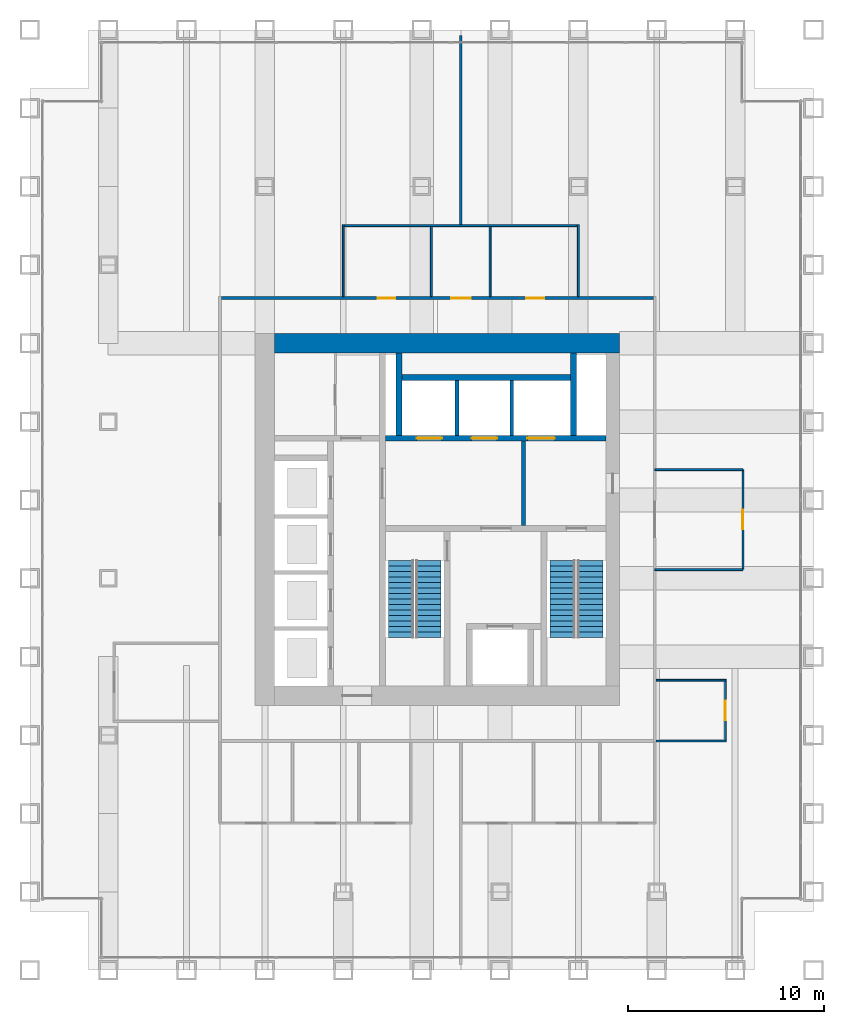
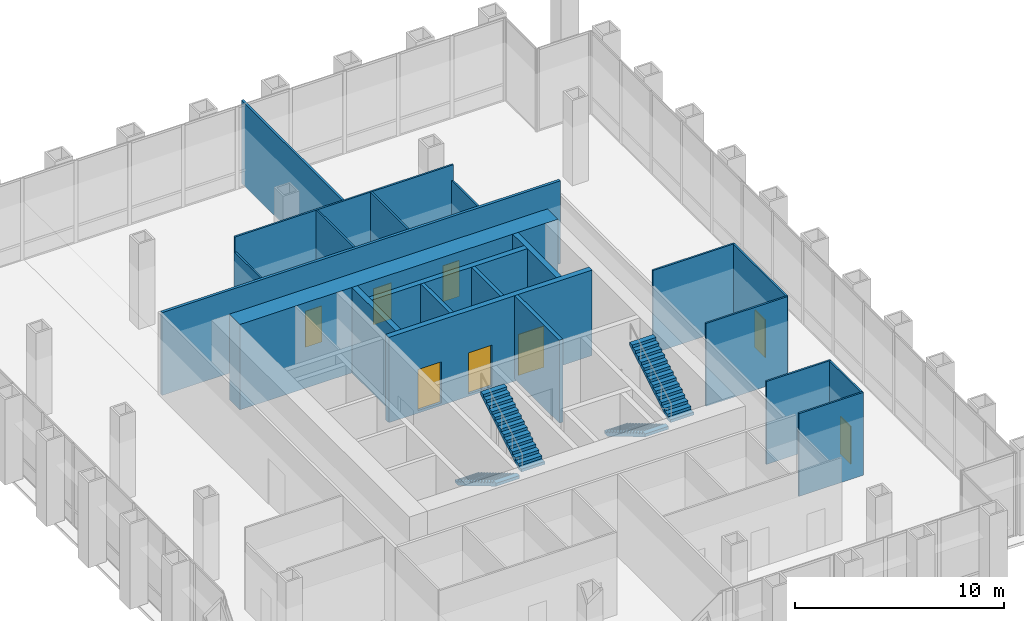
# One storey, part 11 of 13: 21 walls, 8 doors, 4 stair flights, 8 openings, 2 elements without a shape of their own.
"""IFC4 building model written with IfcOpenShell, lengths in metres."""

from ifc_helpers import new_model, si_unit, direction, frame, frame_2d, origin, place, context, subcontext, project, spatial, polyline, rectangle, outline, extrude, material, layer, layer_set, type_object, element, fill, aggregate, save


model = new_model("IFC4")

# Units and contexts
model_context = context("Model", 3, precision=1e-05, world=origin(), true_north=direction((0.0, 1.0)))
body_context = subcontext(model_context, "Body", "Model", "MODEL_VIEW")
ifc_project = project(units=[si_unit("LENGTHUNIT", "METRE"), si_unit("AREAUNIT", "SQUARE_METRE"), si_unit("VOLUMEUNIT", "CUBIC_METRE"), si_unit("PLANEANGLEUNIT", "RADIAN"), si_unit("MASSUNIT", "GRAM", prefix="KILO")], contexts=[model_context])

# Site, building, storey
site_placement = place(None, origin())
site = spatial("IfcSite", under=ifc_project, at=site_placement, CompositionType="ELEMENT")
building_placement = place(site_placement, origin())
building = spatial("IfcBuilding", under=site, at=building_placement, Name="Rimbunsela Tower", CompositionType="ELEMENT")
storey_placement = place(building_placement, frame((0.0, 0.0, 142.800048828125)))
storey = spatial("IfcBuildingStorey", under=building, at=storey_placement, Name="L34", CompositionType="ELEMENT", Elevation=142.800048828125)

# Wall, openings, doors
ifc_material_1 = material(Name="Concrete fc' 80 MPa", Category="concrete")
ifc_layer_1 = layer(ifc_material_1, 0.300048828125)
ifc_layer_set_1 = layer_set([ifc_layer_1], Name="Core internal wall 300")
wall_type_1 = type_object("IfcWallType", Name="Core internal wall 300", PredefinedType="SHEAR", material=ifc_layer_set_1)
wall_1_placement = place(storey_placement, frame((24.14990234375, 31.14990234375, -0.150146484375), z_axis=(0.0, 0.0, 1.0), x_axis=(1.0, 0.0, 0.0)))
wall_1 = element("IfcWall", 1, at=wall_1_placement, inside=storey, type_object=wall_type_1, Name="Lift shaft front north", PredefinedType="SHEAR", context=body_context, shape_type="SweptSolid", body=[
    extrude(rectangle(XDim=11.25, YDim=0.300048828125, at=frame_2d((5.625, 0.0))), origin(), (0.0, 0.0, 1.0), 5.0),
])
opening_1_placement = place(wall_1_placement, frame((1.60009765625, 0.0, 0.14990234375)))
opening_1 = element("IfcOpeningElement", 2, at=opening_1_placement, cuts=wall_1, Name="Opening LD2", PredefinedType="OPENING", context=body_context, shape_type="SweptSolid", body=[
    extrude(rectangle(XDim=1.300048828125, YDim=2.39990234375, at=frame_2d((0.64990234375, 1.199951171875))), frame((0.0, 0.159912109375, 0.0), z_axis=(0.0, -1.0, 0.0), x_axis=(1.0, 0.0, 0.0)), (0.0, 0.0, 1.0), 0.320068359375),
])
opening_2_placement = place(wall_1_placement, frame((4.39990234375, 0.0, 0.14990234375)))
opening_2 = element("IfcOpeningElement", 3, at=opening_2_placement, cuts=wall_1, Name="Opening LD2", PredefinedType="OPENING", context=body_context, shape_type="SweptSolid", body=[
    extrude(rectangle(XDim=1.300048828125, YDim=2.39990234375, at=frame_2d((0.64990234375, 1.199951171875))), frame((0.0, 0.159912109375, 0.0), z_axis=(0.0, -1.0, 0.0), x_axis=(1.0, 0.0, 0.0)), (0.0, 0.0, 1.0), 0.320068359375),
])
opening_3_placement = place(wall_1_placement, frame((7.25, 0.0, 0.14990234375)))
opening_3 = element("IfcOpeningElement", 4, at=opening_3_placement, cuts=wall_1, Name="Opening LD3", PredefinedType="OPENING", context=body_context, shape_type="SweptSolid", body=[
    extrude(rectangle(XDim=1.39990234375, YDim=2.39990234375, at=frame_2d((0.699951171875, 1.199951171875))), frame((0.0, 0.159912109375, 0.0), z_axis=(0.0, -1.0, 0.0), x_axis=(1.0, 0.0, 0.0)), (0.0, 0.0, 1.0), 0.320068359375),
])
ifc_material_2 = material(Name="Steel door, fire rated", Category="steel")
door_type_1 = type_object("IfcDoorType", Name="Lift landing door 1300", OperationType="DOUBLE_DOOR_SLIDING", PredefinedType="DOOR", material=ifc_material_2)
door_1_placement = place(opening_1_placement, origin())
door_1 = element("IfcDoor", 5, at=door_1_placement, inside=storey, type_object=door_type_1, Name="Lift landing door SH1", OperationType="DOUBLE_DOOR_SLIDING", OverallHeight=2.39990234375, OverallWidth=1.300048828125, PredefinedType="DOOR", context=body_context, shape_type="SweptSolid", body=[
    extrude(rectangle(XDim=1.300048828125, YDim=2.39990234375, at=frame_2d((0.64990234375, 1.199951171875))), frame((0.0, 0.02490234375, 0.0), z_axis=(0.0, -1.0, 0.0), x_axis=(1.0, 0.0, 0.0)), (0.0, 0.0, 1.0), 0.050048828125),
])
fill(opening_1, door_1)
door_2_placement = place(opening_2_placement, origin())
door_2 = element("IfcDoor", 6, at=door_2_placement, inside=storey, type_object=door_type_1, Name="Lift landing door SH2", OperationType="DOUBLE_DOOR_SLIDING", OverallHeight=2.39990234375, OverallWidth=1.300048828125, PredefinedType="DOOR", context=body_context, shape_type="SweptSolid", body=[
    extrude(rectangle(XDim=1.300048828125, YDim=2.39990234375, at=frame_2d((0.64990234375, 1.199951171875))), frame((0.0, 0.02490234375, 0.0), z_axis=(0.0, -1.0, 0.0), x_axis=(1.0, 0.0, 0.0)), (0.0, 0.0, 1.0), 0.050048828125),
])
fill(opening_2, door_2)
ifc_material_3 = material(Name="Steel door, fire rated", Category="steel")
door_type_2 = type_object("IfcDoorType", Name="Lift landing door 1400", OperationType="DOUBLE_DOOR_SLIDING", PredefinedType="DOOR", material=ifc_material_3)
door_3_placement = place(opening_3_placement, origin())
door_3 = element("IfcDoor", 7, at=door_3_placement, inside=storey, type_object=door_type_2, Name="Lift landing door FL2", OperationType="DOUBLE_DOOR_SLIDING", OverallHeight=2.39990234375, OverallWidth=1.39990234375, PredefinedType="DOOR", context=body_context, shape_type="SweptSolid", body=[
    extrude(rectangle(XDim=1.39990234375, YDim=2.39990234375, at=frame_2d((0.699951171875, 1.199951171875))), frame((0.0, 0.02490234375, 0.0), z_axis=(0.0, -1.0, 0.0), x_axis=(1.0, 0.0, 0.0)), (0.0, 0.0, 1.0), 0.050048828125),
])
fill(opening_3, door_3)

# Walls
for number, where, z_axis, x_axis, name in (
    (8, (24.85009765625, 31.300048828125, -0.150146484375), (0.0, 0.0, 1.0), (0.0, 1.0, 0.0), "Riser wall"),
    (9, (33.75, 31.300048828125, -0.150146484375), (0.0, 0.0, 1.0), (0.0, 1.0, 0.0), "Riser wall"),
):
    element("IfcWall", number, at=place(storey_placement, frame(where, z_axis=z_axis, x_axis=x_axis)), inside=storey, type_object=wall_type_1, Name=name, PredefinedType="SHEAR", context=body_context, shape_type="SweptSolid", body=[
        extrude(rectangle(XDim=4.199951171875, YDim=0.300048828125, at=frame_2d((2.10009765625, 0.0))), origin(), (0.0, 0.0, 1.0), 5.0),
    ])
wall_2_placement = place(storey_placement, frame((25.0, 34.25, -0.150146484375), z_axis=(0.0, 0.0, 1.0), x_axis=(1.0, 0.0, 0.0)))
element("IfcWall", 10, at=wall_2_placement, inside=storey, type_object=wall_type_1, Name="Lift shaft rear north", PredefinedType="SHEAR", context=body_context, shape_type="SweptSolid", body=[
    extrude(rectangle(XDim=8.60009765625, YDim=0.300048828125, at=frame_2d((4.300048828125, 0.0))), origin(), (0.0, 0.0, 1.0), 5.0),
])
ifc_material_4 = material(Name="Concrete fc' 80 MPa", Category="concrete")
ifc_layer_2 = layer(ifc_material_4, 1.0)
ifc_layer_set_2 = layer_set([ifc_layer_2], Name="Core wall 1000")
wall_type_2 = type_object("IfcWallType", Name="Core wall 1000", PredefinedType="SHEAR", material=ifc_layer_set_2)
wall_3_placement = place(storey_placement, frame((18.5, 36.0, -0.150146484375), z_axis=(0.0, 0.0, 1.0), x_axis=(1.0, 0.0, 0.0)))
element("IfcWall", 11, at=wall_3_placement, inside=storey, type_object=wall_type_2, Name="Core wall north", PredefinedType="SHEAR", context=body_context, shape_type="SweptSolid", body=[
    extrude(rectangle(XDim=17.60009765625, YDim=1.0, at=frame_2d((8.800048828125, 0.0))), origin(), (0.0, 0.0, 1.0), 5.0),
])
ifc_material_5 = material(Name="Concrete blockwork", Category="masonry")
ifc_layer_3 = layer(ifc_material_5, 0.199951171875)
ifc_layer_set_3 = layer_set([ifc_layer_3], Name="Lift shaft wall 200")
wall_type_3 = type_object("IfcWallType", Name="Lift shaft wall 200", PredefinedType="SOLIDWALL", material=ifc_layer_set_3)
for number, where, z_axis, x_axis, name in (
    (12, (27.800048828125, 31.300048828125, -0.150146484375), (0.0, 0.0, 1.0), (0.0, 1.0, 0.0), "Lift shaft separation"),
    (13, (30.60009765625, 31.300048828125, -0.150146484375), (0.0, 0.0, 1.0), (0.0, 1.0, 0.0), "Lift shaft separation"),
):
    element("IfcWall", number, at=place(storey_placement, frame(where, z_axis=z_axis, x_axis=x_axis)), inside=storey, type_object=wall_type_3, Name=name, PredefinedType="SOLIDWALL", context=body_context, shape_type="SweptSolid", body=[
        extrude(rectangle(XDim=2.800048828125, YDim=0.199951171875, at=frame_2d((1.39990234375, 0.0))), origin(), (0.0, 0.0, 1.0), 5.0),
    ])
wall_4_placement = place(storey_placement, frame((31.199951171875, 26.699951171875, 0.0), z_axis=(0.0, 0.0, 1.0), x_axis=(0.0, 1.0, 0.0)))
element("IfcWall", 14, at=wall_4_placement, inside=storey, type_object=wall_type_3, Name="Firefighting lobby 2 wall", PredefinedType="SOLIDWALL", context=body_context, shape_type="SweptSolid", body=[
    extrude(rectangle(XDim=4.300048828125, YDim=0.199951171875, at=frame_2d((2.14990234375, 0.0))), origin(), (0.0, 0.0, 1.0), 4.849853515625),
])
ifc_material_6 = material(Name="Gypsum board on steel studs", Category="steel")
ifc_layer_4 = layer(ifc_material_6, 0.10009765625)
ifc_layer_set_4 = layer_set([ifc_layer_4], Name="Office partition 100")
wall_type_4 = type_object("IfcWallType", Name="Office partition 100", PredefinedType="PARTITIONING", material=ifc_layer_set_4)
for number, where, z_axis, x_axis, name in (
    (15, (37.97509765625, 15.699951171875, 0.0), (0.0, 0.0, 1.0), (1.0, 0.0, 0.0), "Office partition"),
    (16, (37.97509765625, 18.800048828125, 0.0), (0.0, 0.0, 1.0), (1.0, 0.0, 0.0), "Office partition"),
):
    element("IfcWall", number, at=place(storey_placement, frame(where, z_axis=z_axis, x_axis=x_axis)), inside=storey, type_object=wall_type_4, Name=name, PredefinedType="PARTITIONING", context=body_context, shape_type="SweptSolid", body=[
        extrude(rectangle(XDim=3.574951171875, YDim=0.10009765625, at=frame_2d((1.78759765625, 0.0))), origin(), (0.0, 0.0, 1.0), 4.849853515625),
    ])

# Wall, opening, door
wall_5_placement = place(storey_placement, frame((41.5, 15.75, 0.0), z_axis=(0.0, 0.0, 1.0), x_axis=(0.0, 1.0, 0.0)))
wall_5 = element("IfcWall", 17, at=wall_5_placement, inside=storey, type_object=wall_type_4, Name="Office partition", PredefinedType="PARTITIONING", context=body_context, shape_type="SweptSolid", body=[
    extrude(rectangle(XDim=3.0, YDim=0.10009765625, at=frame_2d((1.5, 0.0))), origin(), (0.0, 0.0, 1.0), 4.849853515625),
])
opening_4_placement = place(wall_5_placement, frame((1.0, 0.0, 0.0)))
opening_4 = element("IfcOpeningElement", 18, at=opening_4_placement, cuts=wall_5, Name="Opening D16", PredefinedType="OPENING", context=body_context, shape_type="SweptSolid", body=[
    extrude(rectangle(XDim=1.0, YDim=2.199951171875, at=frame_2d((0.5, 1.10009765625))), frame((0.0, 0.06005859375, 0.0), z_axis=(0.0, -1.0, 0.0), x_axis=(1.0, 0.0, 0.0)), (0.0, 0.0, 1.0), 0.1201171875),
])
ifc_material_7 = material(Name="Timber door", Category="wood")
door_type_3 = type_object("IfcDoorType", Name="Office door 1000", OperationType="SINGLE_SWING_LEFT", PredefinedType="DOOR", material=ifc_material_7)
door_4_placement = place(opening_4_placement, origin())
door_4 = element("IfcDoor", 19, at=door_4_placement, inside=storey, type_object=door_type_3, Name="Office door", OperationType="SINGLE_SWING_LEFT", OverallHeight=2.199951171875, OverallWidth=1.0, PredefinedType="DOOR", context=body_context, shape_type="SweptSolid", body=[
    extrude(rectangle(XDim=1.0, YDim=2.199951171875, at=frame_2d((0.5, 1.10009765625))), frame((0.0, 0.02490234375, 0.0), z_axis=(0.0, -1.0, 0.0), x_axis=(1.0, 0.0, 0.0)), (0.0, 0.0, 1.0), 0.050048828125),
])
fill(opening_4, door_4)

# Wall
wall_6_placement = place(storey_placement, frame((37.89990234375, 24.449951171875, 0.0), z_axis=(0.0, 0.0, 1.0), x_axis=(1.0, 0.0, 0.0)))
element("IfcWall", 20, at=wall_6_placement, inside=storey, type_object=wall_type_4, Name="Office partition", PredefinedType="PARTITIONING", context=body_context, shape_type="SweptSolid", body=[
    extrude(rectangle(XDim=4.5, YDim=0.10009765625, at=frame_2d((2.25, 0.0))), origin(), (0.0, 0.0, 1.0), 4.849853515625),
])

# Wall, opening, door
wall_7_placement = place(storey_placement, frame((42.39990234375, 24.449951171875, 0.0), z_axis=(0.0, 0.0, 1.0), x_axis=(0.0, 1.0, 0.0)))
wall_7 = element("IfcWall", 21, at=wall_7_placement, inside=storey, type_object=wall_type_4, Name="Office partition", PredefinedType="PARTITIONING", context=body_context, shape_type="SweptSolid", body=[
    extrude(rectangle(XDim=5.10009765625, YDim=0.10009765625, at=frame_2d((2.550048828125, 0.0))), origin(), (0.0, 0.0, 1.0), 4.849853515625),
])
opening_5_placement = place(wall_7_placement, frame((2.050048828125, 0.0, 0.0)))
opening_5 = element("IfcOpeningElement", 22, at=opening_5_placement, cuts=wall_7, Name="Opening D17", PredefinedType="OPENING", context=body_context, shape_type="SweptSolid", body=[
    extrude(rectangle(XDim=1.0, YDim=2.199951171875, at=frame_2d((0.5, 1.10009765625))), frame((0.0, 0.06005859375, 0.0), z_axis=(0.0, -1.0, 0.0), x_axis=(1.0, 0.0, 0.0)), (0.0, 0.0, 1.0), 0.1201171875),
])
ifc_material_8 = material(Name="Glazed aluminium door", Category="aluminium")
door_type_4 = type_object("IfcDoorType", Name="Meeting room door 1000 glazed", OperationType="SINGLE_SWING_RIGHT", PredefinedType="DOOR", material=ifc_material_8)
door_5_placement = place(opening_5_placement, origin())
door_5 = element("IfcDoor", 23, at=door_5_placement, inside=storey, type_object=door_type_4, Name="Reception door", OperationType="SINGLE_SWING_RIGHT", OverallHeight=2.199951171875, OverallWidth=1.0, PredefinedType="DOOR", context=body_context, shape_type="SweptSolid", body=[
    extrude(rectangle(XDim=1.0, YDim=2.199951171875, at=frame_2d((0.5, 1.10009765625))), frame((0.0, 0.02490234375, 0.0), z_axis=(0.0, -1.0, 0.0), x_axis=(1.0, 0.0, 0.0)), (0.0, 0.0, 1.0), 0.050048828125),
])
fill(opening_5, door_5)

# Wall
wall_8_placement = place(storey_placement, frame((42.39990234375, 29.550048828125, 0.0), z_axis=(0.0, 0.0, 1.0), x_axis=(-1.0, 0.0, 0.0)))
element("IfcWall", 24, at=wall_8_placement, inside=storey, type_object=wall_type_4, Name="Office partition", PredefinedType="PARTITIONING", context=body_context, shape_type="SweptSolid", body=[
    extrude(rectangle(XDim=4.5, YDim=0.10009765625, at=frame_2d((2.25, 0.0))), origin(), (0.0, 0.0, 1.0), 4.849853515625),
])

# Wall, openings, doors
ifc_material_9 = material(Name="Fire-rated gypsum board on steel studs, EI 60", Category="steel")
ifc_layer_5 = layer(ifc_material_9, 0.14990234375)
ifc_layer_set_5 = layer_set([ifc_layer_5], Name="Rated corridor wall 150")
wall_type_5 = type_object("IfcWallType", Name="Rated corridor wall 150", PredefinedType="PARTITIONING", material=ifc_layer_set_5)
wall_9_placement = place(storey_placement, frame((15.77490234375, 38.300048828125, 0.0), z_axis=(0.0, 0.0, 1.0), x_axis=(1.0, 0.0, 0.0)))
wall_9 = element("IfcWall", 25, at=wall_9_placement, inside=storey, type_object=wall_type_5, Name="Corridor wall north", PredefinedType="PARTITIONING", context=body_context, shape_type="SweptSolid", body=[
    extrude(rectangle(XDim=22.050048828125, YDim=0.14990234375, at=frame_2d((11.02490234375, 0.0))), origin(), (0.0, 0.0, 1.0), 4.849853515625),
])
opening_6_placement = place(wall_9_placement, frame((7.97509765625, 0.0, 0.0)))
opening_6 = element("IfcOpeningElement", 26, at=opening_6_placement, cuts=wall_9, Name="Opening D04", PredefinedType="OPENING", context=body_context, shape_type="SweptSolid", body=[
    extrude(rectangle(XDim=0.89990234375, YDim=2.10009765625, at=frame_2d((0.449951171875, 1.050048828125))), frame((0.0, 0.0849609375, 0.0), z_axis=(0.0, -1.0, 0.0), x_axis=(1.0, 0.0, 0.0)), (0.0, 0.0, 1.0), 0.169921875),
])
opening_7_placement = place(wall_9_placement, frame((11.72509765625, 0.0, 0.0)))
opening_7 = element("IfcOpeningElement", 27, at=opening_7_placement, cuts=wall_9, Name="Opening D05", PredefinedType="OPENING", context=body_context, shape_type="SweptSolid", body=[
    extrude(rectangle(XDim=1.0, YDim=2.10009765625, at=frame_2d((0.5, 1.050048828125))), frame((0.0, 0.0849609375, 0.0), z_axis=(0.0, -1.0, 0.0), x_axis=(1.0, 0.0, 0.0)), (0.0, 0.0, 1.0), 0.169921875),
])
opening_8_placement = place(wall_9_placement, frame((15.574951171875, 0.0, 0.0)))
opening_8 = element("IfcOpeningElement", 28, at=opening_8_placement, cuts=wall_9, Name="Opening D04", PredefinedType="OPENING", context=body_context, shape_type="SweptSolid", body=[
    extrude(rectangle(XDim=0.89990234375, YDim=2.10009765625, at=frame_2d((0.449951171875, 1.050048828125))), frame((0.0, 0.0849609375, 0.0), z_axis=(0.0, -1.0, 0.0), x_axis=(1.0, 0.0, 0.0)), (0.0, 0.0, 1.0), 0.169921875),
])
ifc_material_10 = material(Name="Timber door", Category="wood")
door_type_5 = type_object("IfcDoorType", Name="Accessible WC door 1000", OperationType="SLIDING_TO_LEFT", PredefinedType="DOOR", material=ifc_material_10)
door_6_placement = place(opening_7_placement, origin())
door_6 = element("IfcDoor", 29, at=door_6_placement, inside=storey, type_object=door_type_5, Name="Accessible WC door", OperationType="SLIDING_TO_LEFT", OverallHeight=2.10009765625, OverallWidth=1.0, PredefinedType="DOOR", context=body_context, shape_type="SweptSolid", body=[
    extrude(rectangle(XDim=1.0, YDim=2.10009765625, at=frame_2d((0.5, 1.050048828125))), frame((0.0, 0.02490234375, 0.0), z_axis=(0.0, -1.0, 0.0), x_axis=(1.0, 0.0, 0.0)), (0.0, 0.0, 1.0), 0.050048828125),
])
fill(opening_7, door_6)
ifc_material_11 = material(Name="Timber door", Category="wood")
door_type_6 = type_object("IfcDoorType", Name="Toilet door 900", OperationType="SINGLE_SWING_LEFT", PredefinedType="DOOR", material=ifc_material_11)
door_7_placement = place(opening_6_placement, origin())
door_7 = element("IfcDoor", 30, at=door_7_placement, inside=storey, type_object=door_type_6, Name="Female WC door", OperationType="SINGLE_SWING_LEFT", OverallHeight=2.10009765625, OverallWidth=0.89990234375, PredefinedType="DOOR", context=body_context, shape_type="SweptSolid", body=[
    extrude(rectangle(XDim=0.89990234375, YDim=2.10009765625, at=frame_2d((0.449951171875, 1.050048828125))), frame((0.0, 0.02490234375, 0.0), z_axis=(0.0, -1.0, 0.0), x_axis=(1.0, 0.0, 0.0)), (0.0, 0.0, 1.0), 0.050048828125),
])
fill(opening_6, door_7)
door_8_placement = place(opening_8_placement, origin())
door_8 = element("IfcDoor", 31, at=door_8_placement, inside=storey, type_object=door_type_6, Name="Male WC door", OperationType="SINGLE_SWING_LEFT", OverallHeight=2.10009765625, OverallWidth=0.89990234375, PredefinedType="DOOR", context=body_context, shape_type="SweptSolid", body=[
    extrude(rectangle(XDim=0.89990234375, YDim=2.10009765625, at=frame_2d((0.449951171875, 1.050048828125))), frame((0.0, 0.02490234375, 0.0), z_axis=(0.0, -1.0, 0.0), x_axis=(1.0, 0.0, 0.0)), (0.0, 0.0, 1.0), 0.050048828125),
])
fill(opening_8, door_8)

# Walls
ifc_material_12 = material(Name="Gypsum board on steel studs", Category="steel")
ifc_layer_6 = layer(ifc_material_12, 0.1201171875)
ifc_layer_set_6 = layer_set([ifc_layer_6], Name="Tenancy partition 120")
wall_type_6 = type_object("IfcWallType", Name="Tenancy partition 120", PredefinedType="PARTITIONING", material=ifc_layer_set_6)
wall_10_placement = place(storey_placement, frame((28.0, 42.050048828125, 0.0), z_axis=(0.0, 0.0, 1.0), x_axis=(0.0, 1.0, 0.0)))
element("IfcWall", 32, at=wall_10_placement, inside=storey, type_object=wall_type_6, Name="Tenancy partition north", PredefinedType="PARTITIONING", context=body_context, shape_type="SweptSolid", body=[
    extrude(rectangle(XDim=9.64990234375, YDim=0.1201171875, at=frame_2d((4.824951171875, 0.0))), origin(), (0.0, 0.0, 1.0), 4.849853515625),
])
ifc_material_13 = material(Name="Concrete blockwork", Category="masonry")
ifc_layer_7 = layer(ifc_material_13, 0.10009765625)
ifc_layer_set_7 = layer_set([ifc_layer_7], Name="Toilet partition 100")
wall_type_7 = type_object("IfcWallType", Name="Toilet partition 100", PredefinedType="PARTITIONING", material=ifc_layer_set_7)
for number, where, z_axis, x_axis, name in (
    (33, (22.0, 38.375, 0.0), (0.0, 0.0, 1.0), (0.0, 1.0, 0.0), "Toilet block wall west"),
    (34, (34.0, 38.375, 0.0), (0.0, 0.0, 1.0), (0.0, 1.0, 0.0), "Toilet block wall east"),
):
    element("IfcWall", number, at=place(storey_placement, frame(where, z_axis=z_axis, x_axis=x_axis)), inside=storey, type_object=wall_type_7, Name=name, PredefinedType="PARTITIONING", context=body_context, shape_type="SweptSolid", body=[
        extrude(rectangle(XDim=3.675048828125, YDim=0.10009765625, at=frame_2d((1.83740234375, 0.0))), origin(), (0.0, 0.0, 1.0), 3.949951171875),
    ])
wall_11_placement = place(storey_placement, frame((21.949951171875, 42.0, 0.0), z_axis=(0.0, 0.0, 1.0), x_axis=(1.0, 0.0, 0.0)))
element("IfcWall", 35, at=wall_11_placement, inside=storey, type_object=wall_type_7, Name="Toilet block wall north", PredefinedType="PARTITIONING", context=body_context, shape_type="SweptSolid", body=[
    extrude(rectangle(XDim=12.10009765625, YDim=0.10009765625, at=frame_2d((6.050048828125, 0.0))), origin(), (0.0, 0.0, 1.0), 4.849853515625),
])
for number, where, z_axis, x_axis, name in (
    (36, (26.5, 38.375, 0.0), (0.0, 0.0, 1.0), (0.0, 1.0, 0.0), "Toilet partition"),
    (37, (29.5, 38.375, 0.0), (0.0, 0.0, 1.0), (0.0, 1.0, 0.0), "Toilet partition"),
):
    element("IfcWall", number, at=place(storey_placement, frame(where, z_axis=z_axis, x_axis=x_axis)), inside=storey, type_object=wall_type_7, Name=name, PredefinedType="PARTITIONING", context=body_context, shape_type="SweptSolid", body=[
        extrude(rectangle(XDim=3.574951171875, YDim=0.10009765625, at=frame_2d((1.78759765625, 0.0))), origin(), (0.0, 0.0, 1.0), 4.849853515625),
    ])

# Stair, stair flights
ifc_material_14 = material(Name="Concrete fc' 35 MPa", Category="concrete")
stair_type = type_object("IfcStairType", Name="Exit stair 30 risers", PredefinedType="HALF_TURN_STAIR", material=ifc_material_14)
stair_1_placement = place(storey_placement, origin())
stair_1 = element("IfcStair", 38, at=stair_1_placement, inside=storey, type_object=stair_type, Name="Exit stair A L34", PredefinedType="HALF_TURN_STAIR")
ifc_material_15 = material(Name="Concrete fc' 35 MPa", Category="concrete")
stair_flight_type = type_object("IfcStairFlightType", Name="Stair flight 15 risers 167", PredefinedType="STRAIGHT", material=ifc_material_15)
stair_flight_1_placement = place(storey_placement, frame((24.949951171875, 24.89990234375, 0.0), z_axis=(0.0, 0.0, 1.0), x_axis=(0.0, -1.0, 0.0)))
stair_flight_1 = element("IfcStairFlight", 39, at=stair_flight_1_placement, type_object=stair_flight_type, Name="ST-A flight 1", NumberOfRisers=15, NumberOfTreads=14, PredefinedType="STRAIGHT", RiserHeight=0.166666667, TreadLength=0.28, context=body_context, shape_type="SweptSolid", body=[
    extrude(outline(polyline([(0.0, 0.0), (0.0, 0.166748046875), (0.280029296875, 0.166748046875), (0.280029296875, 0.333251953125), (0.56005859375, 0.333251953125), (0.56005859375, 0.5), (0.840087890625, 0.5), (0.840087890625, 0.666748046875), (1.1201171875, 0.666748046875), (1.1201171875, 0.833251953125), (1.39990234375, 0.833251953125), (1.39990234375, 1.0), (1.679931640625, 1.0), (1.679931640625, 1.166748046875), (1.9599609375, 1.166748046875), (1.9599609375, 1.333251953125), (2.239990234375, 1.333251953125), (2.239990234375, 1.5), (2.52001953125, 1.5), (2.52001953125, 1.666748046875), (2.800048828125, 1.666748046875), (2.800048828125, 1.833251953125), (3.080078125, 1.833251953125), (3.080078125, 2.0), (3.360107421875, 2.0), (3.360107421875, 2.166748046875), (3.639892578125, 2.166748046875), (3.639892578125, 2.333251953125), (3.919921875, 2.333251953125), (3.919921875, 2.5), (3.919921875, 2.158935546875), (0.29296875, 0.0), (0.0, 0.0)])), frame((0.0, 0.64990234375, 0.0), z_axis=(0.0, -1.0, 0.0), x_axis=(1.0, 0.0, 0.0)), (0.0, 0.0, 1.0), 1.300048828125),
])
stair_flight_2_placement = place(storey_placement, frame((26.35009765625, 20.97998046875, 2.5), z_axis=(0.0, 0.0, 1.0), x_axis=(0.0, 1.0, 0.0)))
stair_flight_2 = element("IfcStairFlight", 40, at=stair_flight_2_placement, type_object=stair_flight_type, Name="ST-A flight 2", NumberOfRisers=15, NumberOfTreads=14, PredefinedType="STRAIGHT", RiserHeight=0.166666667, TreadLength=0.28, context=body_context, shape_type="SweptSolid", body=[
    extrude(outline(polyline([(0.0, 0.0), (0.0, 0.166748046875), (0.280029296875, 0.166748046875), (0.280029296875, 0.333251953125), (0.56005859375, 0.333251953125), (0.56005859375, 0.5), (0.840087890625, 0.5), (0.840087890625, 0.666748046875), (1.1201171875, 0.666748046875), (1.1201171875, 0.833251953125), (1.39990234375, 0.833251953125), (1.39990234375, 1.0), (1.679931640625, 1.0), (1.679931640625, 1.166748046875), (1.9599609375, 1.166748046875), (1.9599609375, 1.333251953125), (2.239990234375, 1.333251953125), (2.239990234375, 1.5), (2.52001953125, 1.5), (2.52001953125, 1.666748046875), (2.800048828125, 1.666748046875), (2.800048828125, 1.833251953125), (3.080078125, 1.833251953125), (3.080078125, 2.0), (3.360107421875, 2.0), (3.360107421875, 2.166748046875), (3.639892578125, 2.166748046875), (3.639892578125, 2.333251953125), (3.919921875, 2.333251953125), (3.919921875, 2.5), (3.919921875, 2.158935546875), (0.29296875, 0.0), (0.0, 0.0)])), frame((0.0, 0.64990234375, 0.0), z_axis=(0.0, -1.0, 0.0), x_axis=(1.0, 0.0, 0.0)), (0.0, 0.0, 1.0), 1.300048828125),
])
aggregate(stair_1, [stair_flight_1, stair_flight_2])

stair_2_placement = place(storey_placement, origin())
stair_2 = element("IfcStair", 41, at=stair_2_placement, inside=storey, type_object=stair_type, Name="Exit stair B L34", PredefinedType="HALF_TURN_STAIR")
stair_flight_3_placement = place(storey_placement, frame((33.199951171875, 24.89990234375, 0.0), z_axis=(0.0, 0.0, 1.0), x_axis=(0.0, -1.0, 0.0)))
stair_flight_3 = element("IfcStairFlight", 42, at=stair_flight_3_placement, type_object=stair_flight_type, Name="ST-B flight 1", NumberOfRisers=15, NumberOfTreads=14, PredefinedType="STRAIGHT", RiserHeight=0.166666667, TreadLength=0.28, context=body_context, shape_type="SweptSolid", body=[
    extrude(outline(polyline([(0.0, 0.0), (0.0, 0.166748046875), (0.280029296875, 0.166748046875), (0.280029296875, 0.333251953125), (0.56005859375, 0.333251953125), (0.56005859375, 0.5), (0.840087890625, 0.5), (0.840087890625, 0.666748046875), (1.1201171875, 0.666748046875), (1.1201171875, 0.833251953125), (1.39990234375, 0.833251953125), (1.39990234375, 1.0), (1.679931640625, 1.0), (1.679931640625, 1.166748046875), (1.9599609375, 1.166748046875), (1.9599609375, 1.333251953125), (2.239990234375, 1.333251953125), (2.239990234375, 1.5), (2.52001953125, 1.5), (2.52001953125, 1.666748046875), (2.800048828125, 1.666748046875), (2.800048828125, 1.833251953125), (3.080078125, 1.833251953125), (3.080078125, 2.0), (3.360107421875, 2.0), (3.360107421875, 2.166748046875), (3.639892578125, 2.166748046875), (3.639892578125, 2.333251953125), (3.919921875, 2.333251953125), (3.919921875, 2.5), (3.919921875, 2.158935546875), (0.29296875, 0.0), (0.0, 0.0)])), frame((0.0, 0.64990234375, 0.0), z_axis=(0.0, -1.0, 0.0), x_axis=(1.0, 0.0, 0.0)), (0.0, 0.0, 1.0), 1.300048828125),
])
stair_flight_4_placement = place(storey_placement, frame((34.60009765625, 20.97998046875, 2.5), z_axis=(0.0, 0.0, 1.0), x_axis=(0.0, 1.0, 0.0)))
stair_flight_4 = element("IfcStairFlight", 43, at=stair_flight_4_placement, type_object=stair_flight_type, Name="ST-B flight 2", NumberOfRisers=15, NumberOfTreads=14, PredefinedType="STRAIGHT", RiserHeight=0.166666667, TreadLength=0.28, context=body_context, shape_type="SweptSolid", body=[
    extrude(outline(polyline([(0.0, 0.0), (0.0, 0.166748046875), (0.280029296875, 0.166748046875), (0.280029296875, 0.333251953125), (0.56005859375, 0.333251953125), (0.56005859375, 0.5), (0.840087890625, 0.5), (0.840087890625, 0.666748046875), (1.1201171875, 0.666748046875), (1.1201171875, 0.833251953125), (1.39990234375, 0.833251953125), (1.39990234375, 1.0), (1.679931640625, 1.0), (1.679931640625, 1.166748046875), (1.9599609375, 1.166748046875), (1.9599609375, 1.333251953125), (2.239990234375, 1.333251953125), (2.239990234375, 1.5), (2.52001953125, 1.5), (2.52001953125, 1.666748046875), (2.800048828125, 1.666748046875), (2.800048828125, 1.833251953125), (3.080078125, 1.833251953125), (3.080078125, 2.0), (3.360107421875, 2.0), (3.360107421875, 2.166748046875), (3.639892578125, 2.166748046875), (3.639892578125, 2.333251953125), (3.919921875, 2.333251953125), (3.919921875, 2.5), (3.919921875, 2.158935546875), (0.29296875, 0.0), (0.0, 0.0)])), frame((0.0, 0.64990234375, 0.0), z_axis=(0.0, -1.0, 0.0), x_axis=(1.0, 0.0, 0.0)), (0.0, 0.0, 1.0), 1.300048828125),
])
aggregate(stair_2, [stair_flight_3, stair_flight_4])

save(model, "model.ifc")
